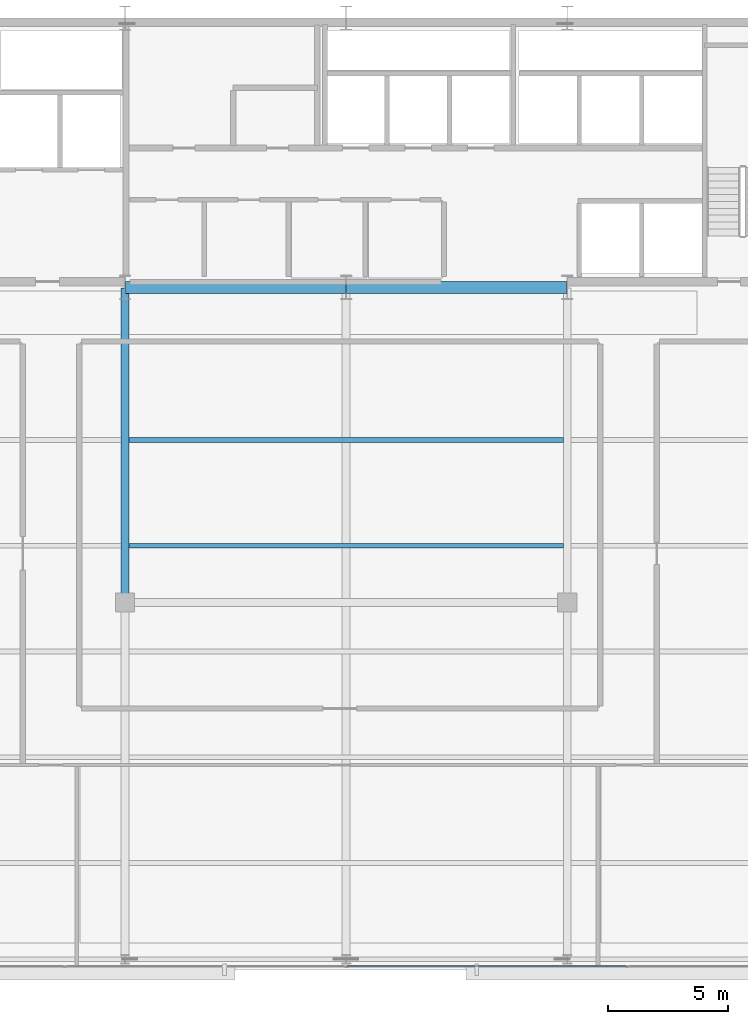
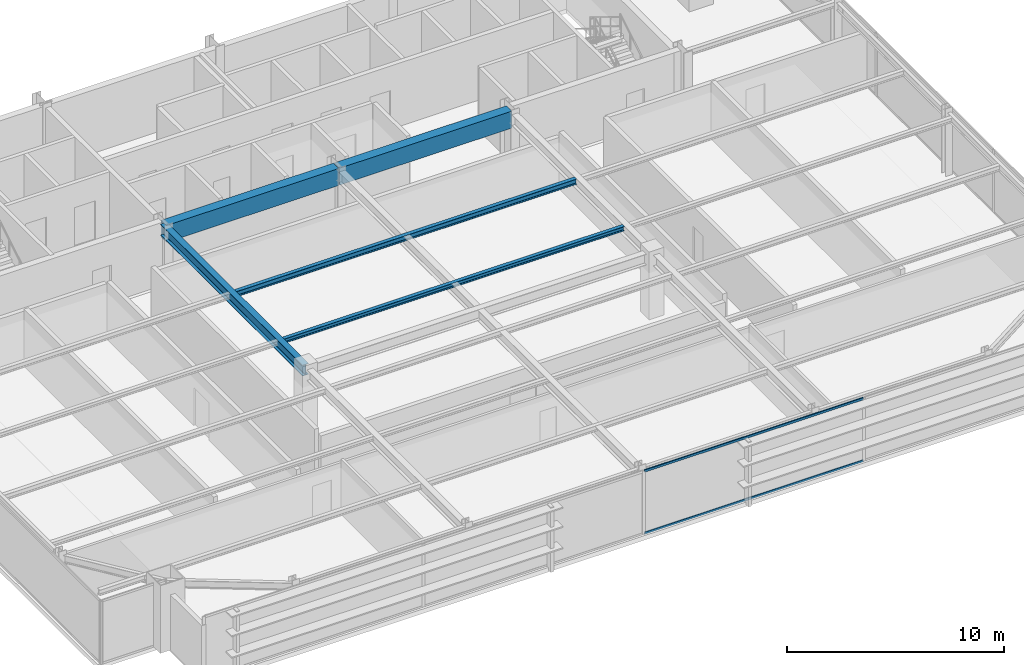
# One storey, part 12 of 29: 5 beams, 2 members, 1 element without a shape of its own.
"""IFC4 building model written with IfcOpenShell, lengths in metres."""

from ifc_helpers import new_model, si_unit, direction, frame, origin, origin_2d, place, context, subcontext, project, spatial, rectangle, hollow_rectangle, i_section, extrude, source, transform, mapped, material, layer, layer_set, material_profile, profile_set, type_object, type_shapes, element, aggregate, save


model = new_model("IFC4")

# Units and contexts
model_context = context("Model", 3, precision=1e-05, world=origin(), true_north=direction((0.0, 1.0)))
body_context = subcontext(model_context, "Body", "Model", "MODEL_VIEW")
ifc_project = project(units=[si_unit("LENGTHUNIT", "METRE"), si_unit("AREAUNIT", "SQUARE_METRE"), si_unit("VOLUMEUNIT", "CUBIC_METRE"), si_unit("PLANEANGLEUNIT", "RADIAN"), si_unit("MASSUNIT", "GRAM", prefix="KILO")], contexts=[model_context])

# Site, building, storey
site_placement = place(None, origin())
site = spatial("IfcSite", under=ifc_project, at=site_placement, CompositionType="ELEMENT")
building_placement = place(site_placement, origin())
building = spatial("IfcBuilding", under=site, at=building_placement, Name="Varnel Quay Broadcast Tower", CompositionType="ELEMENT")
storey_placement = place(building_placement, frame((0.0, 0.0, 172.39990234375)))
storey = spatial("IfcBuildingStorey", under=building, at=storey_placement, Name="L42", CompositionType="ELEMENT", Elevation=172.39990234375)

# Beams
ifc_material_1 = material(Name="Structural Steel CSA G40.21 350W", Category="steel")
ifc_material_profile_1 = material_profile(ifc_material_1, i_section(OverallWidth=0.324951171875, OverallDepth=0.615966796875, WebThickness=0.013916015625, FlangeThickness=0.021484375, FilletRadius=0.01611328125, at=origin_2d()), Name="W610X174")
ifc_profile_set_1 = profile_set([ifc_material_profile_1], Name="Structural Steel CSA G40.21 350W")
beam_type_1 = type_object("IfcBeamType", Name="Girder_W610X174", PredefinedType="BEAM", material=ifc_profile_set_1)
shared_shape_1 = source(origin(), body_context, "Body", "SweptSolid", [
    extrude(i_section(OverallWidth=0.324951171875, OverallDepth=0.615966796875, WebThickness=0.013916015625, FlangeThickness=0.021484375, FilletRadius=0.01611328125, at=origin_2d()), origin(), (0.0, 0.0, 1.0), 13.070068359375),
])
type_shapes(beam_type_1, [shared_shape_1])
beam_1_placement = place(storey_placement, frame((24.800048828125, 22.510009765625, 3.2421875), z_axis=(0.0, 1.0, 0.0), x_axis=(-1.0, 0.0, 0.0)))
element("IfcBeam", 1, at=beam_1_placement, inside=storey, type_object=beam_type_1, Name="L42 Primary Girder IC-01-CC-S2", PredefinedType="BEAM", context=body_context, shape_type="MappedRepresentation", body=[
    mapped(shared_shape_1, transform((0.0, 0.0, 0.0), x_axis=(1.0, 0.0, 0.0), y_axis=(0.0, 1.0, 0.0), z_axis=(0.0, 0.0, 1.0), scale=1.0)),
])
ifc_material_2 = material(Name="Concrete CSA A23.3 C50/60", Category="concrete")
ifc_material_profile_2 = material_profile(ifc_material_2, rectangle(XDim=0.5, YDim=0.949951171875, at=origin_2d()), Name="RC500X950")
ifc_profile_set_2 = profile_set([ifc_material_profile_2], Name="Concrete CSA A23.3 C50/60")
beam_type_2 = type_object("IfcBeamType", Name="Beam_RC500X950", PredefinedType="BEAM", material=ifc_profile_set_2)
shared_shape_2 = source(origin(), body_context, "Body", "SweptSolid", [
    extrude(rectangle(XDim=0.5, YDim=0.949951171875, at=origin_2d()), origin(), (0.0, 0.0, 1.0), 9.159912109375),
])
type_shapes(beam_type_2, [shared_shape_2])
for number, where, z_axis, x_axis, name in (
    (2, (24.820068359375, 35.60009765625, 3.0751953125), (1.0, 0.0, 0.0), (0.0, 1.0, 0.0), "L42 Core Coupling Beam W"),
    (3, (34.02001953125, 35.60009765625, 3.0751953125), (1.0, 0.0, 0.0), (0.0, 1.0, 0.0), "L42 Core Coupling Beam E"),
):
    element("IfcBeam", number, at=place(storey_placement, frame(where, z_axis=z_axis, x_axis=x_axis)), inside=storey, type_object=beam_type_2, Name=name, PredefinedType="BEAM", context=body_context, shape_type="MappedRepresentation", body=[
        mapped(shared_shape_2, transform((0.0, 0.0, 0.0), x_axis=(1.0, 0.0, 0.0), y_axis=(0.0, 1.0, 0.0), z_axis=(0.0, 0.0, 1.0), scale=1.0)),
    ])
ifc_material_profile_3 = material_profile(ifc_material_1, i_section(OverallWidth=0.202880859375, OverallDepth=0.302978515625, WebThickness=0.007568359375, FlangeThickness=0.01318359375, FilletRadius=0.011962890625, at=origin_2d()), Name="W310X60")
ifc_profile_set_3 = profile_set([ifc_material_profile_3], Name="Structural Steel CSA G40.21 350W")
beam_type_3 = type_object("IfcBeamType", Name="Beam_W310X60", PredefinedType="JOIST", material=ifc_profile_set_3)
shared_shape_3 = source(origin(), body_context, "Body", "SweptSolid", [
    extrude(i_section(OverallWidth=0.202880859375, OverallDepth=0.302978515625, WebThickness=0.007568359375, FlangeThickness=0.01318359375, FilletRadius=0.011962890625, at=origin_2d()), origin(), (0.0, 0.0, 1.0), 18.0849609375),
])
type_shapes(beam_type_3, [shared_shape_3])
beam_2_placement = place(storey_placement, frame((24.95751953125, 29.25, 3.398681640625), z_axis=(1.0, 0.0, 0.0), x_axis=(0.0, 1.0, 0.0)))
element("IfcBeam", 4, at=beam_2_placement, inside=storey, type_object=beam_type_3, Name="L42 Central Floor Joist 5", PredefinedType="JOIST", context=body_context, shape_type="MappedRepresentation", body=[
    mapped(shared_shape_3, transform((0.0, 0.0, 0.0), x_axis=(1.0, 0.0, 0.0), y_axis=(0.0, 1.0, 0.0), z_axis=(0.0, 0.0, 1.0), scale=1.0)),
])
ifc_material_profile_4 = material_profile(ifc_material_1, i_section(OverallWidth=0.201904296875, OverallDepth=0.2470703125, WebThickness=0.00732421875, FlangeThickness=0.010986328125, FilletRadius=0.010986328125, at=origin_2d()), Name="W250X49")
ifc_profile_set_4 = profile_set([ifc_material_profile_4], Name="Structural Steel CSA G40.21 350W")
beam_type_4 = type_object("IfcBeamType", Name="Beam_W250X49", PredefinedType="JOIST", material=ifc_profile_set_4)
shared_shape_4 = source(origin(), body_context, "Body", "SweptSolid", [
    extrude(i_section(OverallWidth=0.201904296875, OverallDepth=0.2470703125, WebThickness=0.00732421875, FlangeThickness=0.010986328125, FilletRadius=0.010986328125, at=origin_2d()), origin(), (0.0, 0.0, 1.0), 18.0849609375),
])
type_shapes(beam_type_4, [shared_shape_4])
beam_3_placement = place(storey_placement, frame((24.95751953125, 24.85009765625, 3.426513671875), z_axis=(1.0, 0.0, 0.0), x_axis=(0.0, 1.0, 0.0)))
element("IfcBeam", 5, at=beam_3_placement, inside=storey, type_object=beam_type_4, Name="L42 Central Floor Joist 4", PredefinedType="JOIST", context=body_context, shape_type="MappedRepresentation", body=[
    mapped(shared_shape_4, transform((0.0, 0.0, 0.0), x_axis=(1.0, 0.0, 0.0), y_axis=(0.0, 1.0, 0.0), z_axis=(0.0, 0.0, 1.0), scale=1.0)),
])

# Curtain wall, members
ifc_material_3 = material(Name="Anodised Bronze Aluminium 6063-T6", Category="aluminium")
ifc_layer = layer(ifc_material_3, 0.18994140625, Name="Anodised Bronze Aluminium 6063-T6")
ifc_layer_set = layer_set([ifc_layer], Name="Anodised Bronze Aluminium 6063-T6")
curtain_wall_type = type_object("IfcCurtainWallType", Name="CW_UpperTower", PredefinedType="NOTDEFINED", material=ifc_layer_set)
curtain_wall_placement = place(storey_placement, origin())
curtain_wall = element("IfcCurtainWall", 6, at=curtain_wall_placement, inside=storey, type_object=curtain_wall_type, Name="L42 South Unitised Curtain Wall 1", PredefinedType="NOTDEFINED")
ifc_material_profile_5 = material_profile(ifc_material_3, hollow_rectangle(XDim=0.06005859375, YDim=0.125, WallThickness=0.0029296875, at=origin_2d()), Name="ALU60X125X3")
ifc_profile_set_5 = profile_set([ifc_material_profile_5], Name="Anodised Bronze Aluminium 6063-T6")
member_type = type_object("IfcMemberType", Name="Tran_CWS-03", PredefinedType="USERDEFINED", material=ifc_profile_set_5)
shared_shape_5 = source(origin(), body_context, "Body", "SweptSolid", [
    extrude(hollow_rectangle(XDim=0.06005859375, YDim=0.125, WallThickness=0.0029296875, at=origin_2d()), origin(), (0.0, 0.0, 1.0), 11.635009765625),
])
type_shapes(member_type, [shared_shape_5])
member_1_placement = place(storey_placement, frame((34.032470703125, 7.35009765625, 0.030029296875), z_axis=(1.0, 0.0, 0.0), x_axis=(0.0, 1.0, 0.0)))
member_1 = element("IfcMember", 7, at=member_1_placement, type_object=member_type, Name="CWS-03 transom 3.1", ObjectType="TRANSOM", PredefinedType="USERDEFINED", context=body_context, shape_type="MappedRepresentation", body=[
    mapped(shared_shape_5, transform((0.0, 0.0, 0.0), x_axis=(1.0, 0.0, 0.0), y_axis=(0.0, 1.0, 0.0), z_axis=(0.0, 0.0, 1.0), scale=1.0)),
])
member_2_placement = place(storey_placement, frame((34.032470703125, 7.35009765625, 3.52001953125), z_axis=(1.0, 0.0, 0.0), x_axis=(0.0, 1.0, 0.0)))
member_2 = element("IfcMember", 8, at=member_2_placement, type_object=member_type, Name="CWS-03 transom 3.2", ObjectType="TRANSOM", PredefinedType="USERDEFINED", context=body_context, shape_type="MappedRepresentation", body=[
    mapped(shared_shape_5, transform((0.0, 0.0, 0.0), x_axis=(1.0, 0.0, 0.0), y_axis=(0.0, 1.0, 0.0), z_axis=(0.0, 0.0, 1.0), scale=1.0)),
])
aggregate(curtain_wall, [member_1, member_2])

save(model, "model.ifc")
